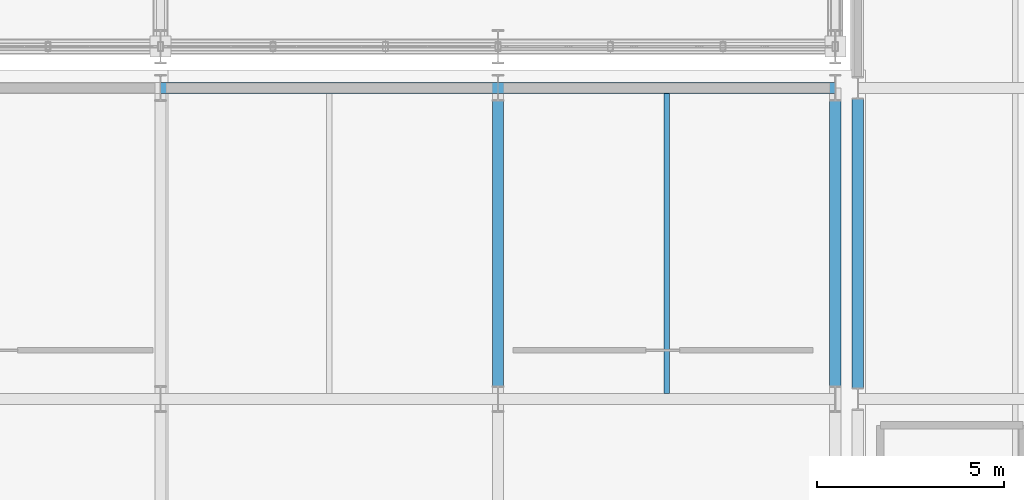
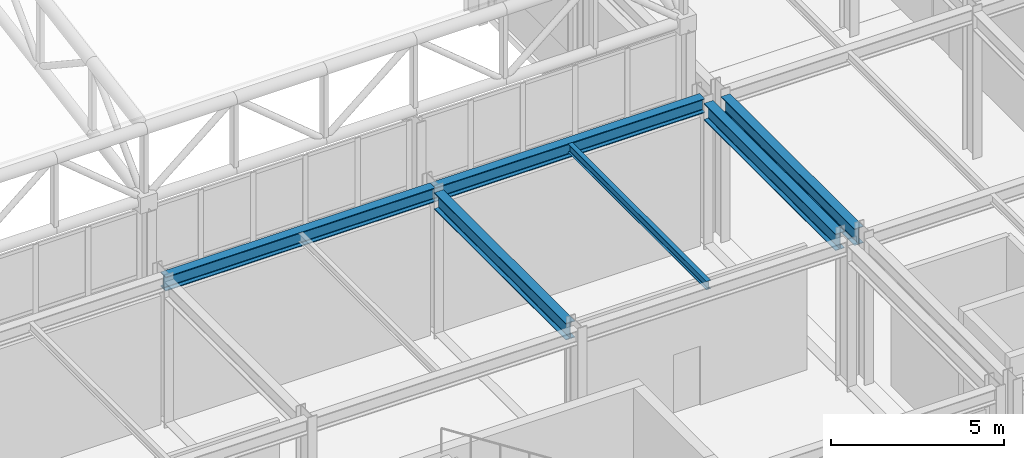
# One storey, part 70 of 239: 6 beams.
"""IFC4 building model written with IfcOpenShell, lengths in metres."""

from ifc_helpers import new_model, si_unit, direction, frame, origin, origin_2d, place, context, subcontext, project, spatial, i_section, extrude, material, material_profile, profile_set, type_object, element, save


model = new_model("IFC4")

# Units and contexts
model_context = context("Model", 3, precision=1e-05, world=origin(), true_north=direction((0.0, 1.0)))
body_context = subcontext(model_context, "Body", "Model", "MODEL_VIEW")
ifc_project = project(units=[si_unit("LENGTHUNIT", "METRE"), si_unit("AREAUNIT", "SQUARE_METRE"), si_unit("VOLUMEUNIT", "CUBIC_METRE"), si_unit("PLANEANGLEUNIT", "RADIAN"), si_unit("MASSUNIT", "GRAM", prefix="KILO")], contexts=[model_context])

# Site, building, storey
site_placement = place(None, origin())
site = spatial("IfcSite", under=ifc_project, at=site_placement, CompositionType="ELEMENT")
building_placement = place(site_placement, origin())
building = spatial("IfcBuilding", under=site, at=building_placement, Name="Kaldris Quays Convention Centre", CompositionType="ELEMENT")
storey_placement = place(building_placement, frame((0.0, 0.0, 11.39990234375)))
storey = spatial("IfcBuildingStorey", under=building, at=storey_placement, Name="L02", CompositionType="ELEMENT", Elevation=11.39990234375)

# Beams
ifc_material = material(Name="Steel S355J2", Category="steel")
ifc_material_profile_1 = material_profile(ifc_material, i_section(OverallWidth=0.300048828125, OverallDepth=0.5, WebThickness=0.014404296875, FlangeThickness=0.028076171875, FilletRadius=0.027099609375, at=origin_2d()), Name="HEB 500")
ifc_profile_set_1 = profile_set([ifc_material_profile_1], Name="Steel S355J2")
beam_type_1 = type_object("IfcBeamType", Name="STRUCTURAL BEAM BM06", PredefinedType="BEAM", material=ifc_profile_set_1)
for number, where, z_axis, x_axis, name in (
    (1, (128.00244140625, 54.89990234375, 4.9130859375), (1.0, 0.0, 0.0), (0.0, 1.0, 0.0), "L02 Girder BM06 24"),
    (2, (137.00244140625, 54.89990234375, 4.9130859375), (1.0, 0.0, 0.0), (0.0, 1.0, 0.0), "L02 Girder BM06 25"),
):
    element("IfcBeam", number, at=place(storey_placement, frame(where, z_axis=z_axis, x_axis=x_axis)), inside=storey, type_object=beam_type_1, Name=name, PredefinedType="BEAM", context=body_context, shape_type="SweptSolid", body=[
        extrude(i_section(OverallWidth=0.300048828125, OverallDepth=0.5, WebThickness=0.014404296875, FlangeThickness=0.028076171875, FilletRadius=0.027099609375, at=origin_2d()), origin(), (0.0, 0.0, 1.0), 8.9951171875),
    ])
ifc_material_profile_2 = material_profile(ifc_material, i_section(OverallWidth=0.300048828125, OverallDepth=0.590087890625, WebThickness=0.012939453125, FlangeThickness=0.02490234375, FilletRadius=0.027099609375, at=origin_2d()), Name="HEA 600")
ifc_profile_set_2 = profile_set([ifc_material_profile_2], Name="Steel S355J2")
beam_type_2 = type_object("IfcBeamType", Name="STRUCTURAL BEAM BM08", PredefinedType="BEAM", material=ifc_profile_set_2)
for number, where, z_axis, x_axis, name in (
    (3, (137.0, 46.944091796875, 4.8681640625), (0.0, 1.0, 0.0), (-1.0, 0.0, 0.0), "L02 Girder BM08 63"),
    (4, (146.0, 46.944091796875, 4.8681640625), (0.0, 1.0, 0.0), (-1.0, 0.0, 0.0), "L02 Girder BM08 65"),
):
    element("IfcBeam", number, at=place(storey_placement, frame(where, z_axis=z_axis, x_axis=x_axis)), inside=storey, type_object=beam_type_2, Name=name, PredefinedType="BEAM", context=body_context, shape_type="SweptSolid", body=[
        extrude(i_section(OverallWidth=0.300048828125, OverallDepth=0.590087890625, WebThickness=0.012939453125, FlangeThickness=0.02490234375, FilletRadius=0.027099609375, at=origin_2d()), origin(), (0.0, 0.0, 1.0), 7.61181640625),
    ])
beam_1_placement = place(storey_placement, frame((146.60009765625, 46.89404296875, 4.8681640625), z_axis=(0.0, 1.0, 0.0), x_axis=(-1.0, 0.0, 0.0)))
element("IfcBeam", 5, at=beam_1_placement, inside=storey, type_object=beam_type_2, Name="L02 Girder BM08 67", PredefinedType="BEAM", context=body_context, shape_type="SweptSolid", body=[
    extrude(i_section(OverallWidth=0.300048828125, OverallDepth=0.590087890625, WebThickness=0.012939453125, FlangeThickness=0.02490234375, FilletRadius=0.027099609375, at=origin_2d()), origin(), (0.0, 0.0, 1.0), 7.7119140625),
])
ifc_material_profile_3 = material_profile(ifc_material, i_section(OverallWidth=0.14990234375, OverallDepth=0.300048828125, WebThickness=0.007080078125, FlangeThickness=0.0107421875, FilletRadius=0.014892578125, at=origin_2d()), Name="IPE 300")
ifc_profile_set_3 = profile_set([ifc_material_profile_3], Name="Steel S355J2")
beam_type_3 = type_object("IfcBeamType", Name="STRUCTURAL BEAM JT04", PredefinedType="JOIST", material=ifc_profile_set_3)
beam_2_placement = place(storey_placement, frame((141.5, 46.743896484375, 5.01318359375), z_axis=(0.0, 1.0, 0.0), x_axis=(-1.0, 0.0, 0.0)))
element("IfcBeam", 6, at=beam_2_placement, inside=storey, type_object=beam_type_3, Name="L02 Secondary Joist JT04 9", PredefinedType="JOIST", context=body_context, shape_type="SweptSolid", body=[
    extrude(i_section(OverallWidth=0.14990234375, OverallDepth=0.300048828125, WebThickness=0.007080078125, FlangeThickness=0.0107421875, FilletRadius=0.014892578125, at=origin_2d()), origin(), (0.0, 0.0, 1.0), 8.01220703125),
])

save(model, "model.ifc")
